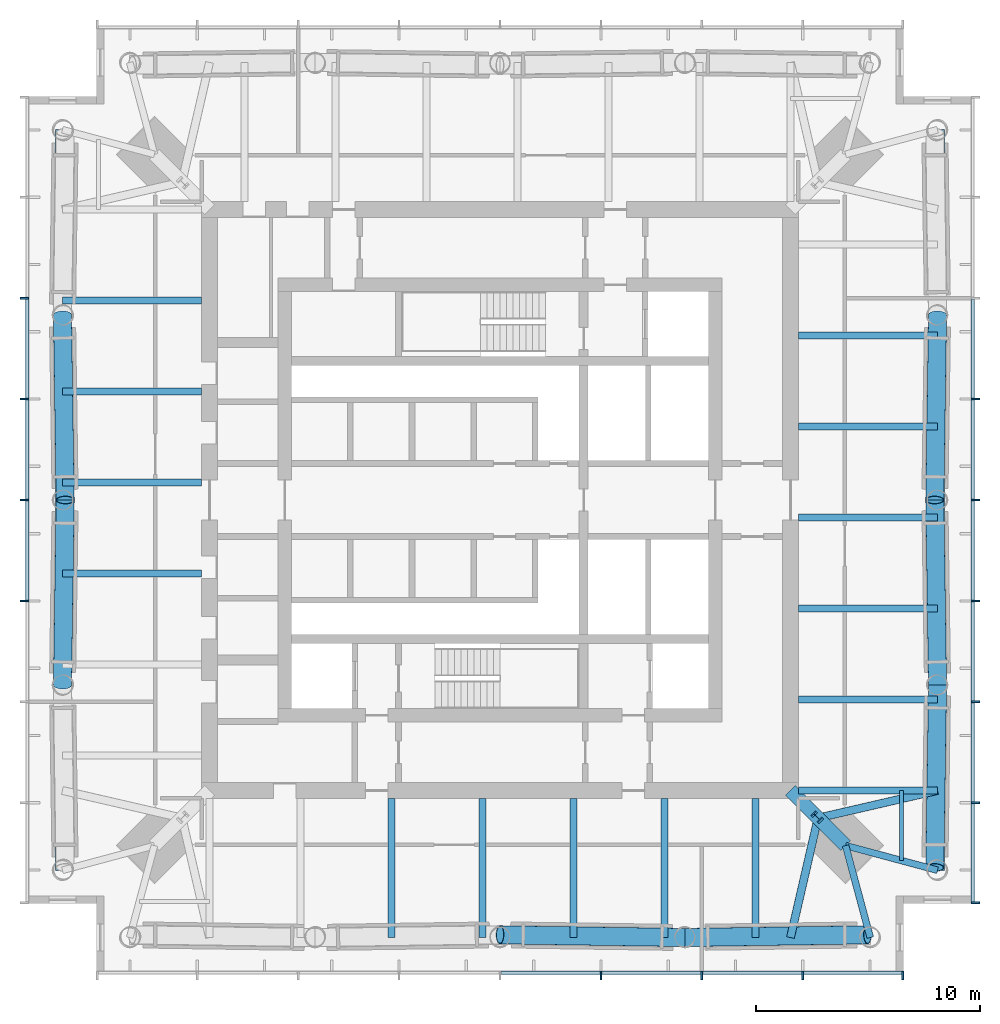
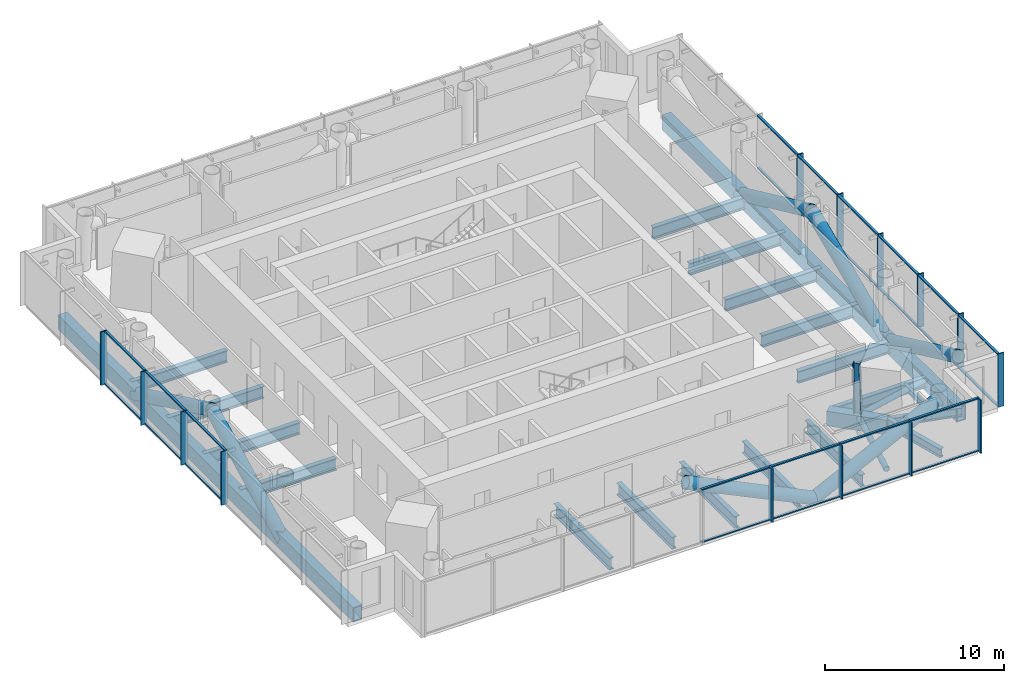
# One storey, part 2 of 9: 53 members, 18 beams, 3 elements without a shape of their own.
"""IFC4 building model written with IfcOpenShell, lengths in metres."""

from ifc_helpers import new_model, si_unit, direction, frame, origin, origin_2d, place, context, subcontext, project, spatial, rectangle, hollow_rectangle, hollow_circle, i_section, extrude, material, material_profile, profile_set, type_object, element, aggregate, save


model = new_model("IFC4")

# Units and contexts
model_context = context("Model", 3, precision=1e-05, world=origin(), true_north=direction((0.0, 1.0)))
body_context = subcontext(model_context, "Body", "Model", "MODEL_VIEW")
ifc_project = project(units=[si_unit("LENGTHUNIT", "METRE"), si_unit("AREAUNIT", "SQUARE_METRE"), si_unit("VOLUMEUNIT", "CUBIC_METRE"), si_unit("PLANEANGLEUNIT", "RADIAN"), si_unit("MASSUNIT", "GRAM", prefix="KILO")], contexts=[model_context])

# Site, building, storey
site_placement = place(None, origin())
site = spatial("IfcSite", under=ifc_project, at=site_placement, CompositionType="ELEMENT")
building_placement = place(site_placement, origin())
building = spatial("IfcBuilding", under=site, at=building_placement, Name="Ostroluk Exchange", CompositionType="ELEMENT")
storey_placement = place(building_placement, frame((0.0, 0.0, 161.60009765625)))
storey = spatial("IfcBuildingStorey", under=building, at=storey_placement, Name="L41", CompositionType="ELEMENT", Elevation=161.60009765625)

# Members
ifc_material_1 = material(Name="Steel S460", Category="steel")
ifc_material_profile_1 = material_profile(ifc_material_1, hollow_rectangle(XDim=0.60009765625, YDim=1.0, WallThickness=0.06005859375, at=origin_2d()), Name="BOX 600x1000x60")
ifc_profile_set_1 = profile_set([ifc_material_profile_1], Name="Steel S460")
member_type_1 = type_object("IfcMemberType", Name="Belt truss chord BOX 600x1000x60", PredefinedType="CHORD", material=ifc_profile_set_1)
for number, where, z_axis, x_axis, name in (
    (1, (64.507080078125, 29.492919921875, -0.780029296875), (0.0, 1.0, 0.0), (-1.0, 0.0, 0.0), "Belt truss 2 east chord 2"),
    (2, (25.492919921875, 62.507080078125, -0.780029296875), (0.0, -1.0, 0.0), (1.0, 0.0, 0.0), "Belt truss 2 west chord 2"),
):
    element("IfcMember", number, at=place(storey_placement, frame(where, z_axis=z_axis, x_axis=x_axis)), inside=storey, type_object=member_type_1, Name=name, PredefinedType="CHORD", context=body_context, shape_type="SweptSolid", body=[
        extrude(hollow_rectangle(XDim=0.60009765625, YDim=1.0, WallThickness=0.06005859375, at=origin_2d()), origin(), (0.0, 0.0, 1.0), 33.01416015625),
    ])
ifc_material_2 = material(Name="Steel S460", Category="steel")
ifc_material_profile_2 = material_profile(ifc_material_2, hollow_circle(Radius=0.406494140625, WallThickness=0.030029296875, at=origin_2d()), Name="CHS 813x30")
ifc_profile_set_2 = profile_set([ifc_material_profile_2], Name="Steel S460")
member_type_2 = type_object("IfcMemberType", Name="Belt truss diagonal CHS 813x30", PredefinedType="BRACE", material=ifc_profile_set_2)
member_1_placement = place(storey_placement, frame((64.507080078125, 37.746337890625, -0.780029296875), z_axis=(-0.013465462075, -0.902456893863, 0.430569664573), x_axis=(0.999888702071, -0.014919231587, 0.0)))
element("IfcMember", 3, at=member_1_placement, inside=storey, type_object=member_type_2, Name="Belt truss 2 east diagonal 2.1", PredefinedType="BRACE", context=body_context, shape_type="SweptSolid", body=[
    extrude(hollow_circle(Radius=0.406494140625, WallThickness=0.030029296875, at=origin_2d()), origin(), (0.0, 0.0, 1.0), 9.010986328125),
])
for number, where, z_axis, x_axis, name in (
    (4, (64.507080078125, 37.746337890625, -0.780029296875), (-0.013303253667, 0.904915687565, 0.425382912023), (-0.99989195638, -0.014699509046, 0.0), "Belt truss 2 east diagonal 2.2"),
    (5, (64.507080078125, 54.253662109375, -0.780029296875), (-0.013303253667, -0.904915687565, 0.425382912023), (0.99989195638, -0.014699509046, 0.0), "Belt truss 2 east diagonal 2.3"),
    (6, (25.492919921875, 54.253662109375, -0.780029296875), (0.013303253667, -0.904915687565, 0.425382912023), (0.99989195638, 0.014699509046, 0.0), "Belt truss 2 west diagonal 2.2"),
    (7, (25.492919921875, 37.746337890625, -0.780029296875), (0.013303253667, 0.904915687565, 0.425382912023), (-0.99989195638, 0.014699509046, 0.0), "Belt truss 2 west diagonal 2.3"),
    (8, (53.253662109375, 26.492919921875, -0.780029296875), (-0.904915687565, 0.013303253667, 0.425382912023), (-0.014699509046, -0.99989195638, 0.0), "Belt truss 2 south diagonal 2.3"),
):
    element("IfcMember", number, at=place(storey_placement, frame(where, z_axis=z_axis, x_axis=x_axis)), inside=storey, type_object=member_type_2, Name=name, PredefinedType="BRACE", context=body_context, shape_type="SweptSolid", body=[
        extrude(hollow_circle(Radius=0.406494140625, WallThickness=0.030029296875, at=origin_2d()), origin(), (0.0, 0.0, 1.0), 9.120849609375),
    ])
member_2_placement = place(storey_placement, frame((53.253662109375, 26.492919921875, -0.780029296875), z_axis=(0.902456893863, 0.013465462075, 0.430569664573), x_axis=(-0.014919231587, 0.999888702071, 0.0)))
element("IfcMember", 9, at=member_2_placement, inside=storey, type_object=member_type_2, Name="Belt truss 2 south diagonal 2.4", PredefinedType="BRACE", context=body_context, shape_type="SweptSolid", body=[
    extrude(hollow_circle(Radius=0.406494140625, WallThickness=0.030029296875, at=origin_2d()), origin(), (0.0, 0.0, 1.0), 9.010986328125),
])

# Beams
ifc_material_3 = material(Name="Steel S355", Category="steel")
ifc_material_profile_3 = material_profile(ifc_material_3, i_section(OverallWidth=0.300048828125, OverallDepth=0.60009765625, WebThickness=0.015380859375, FlangeThickness=0.030029296875, FilletRadius=0.027099609375, at=origin_2d()), Name="HEB 600")
ifc_profile_set_3 = profile_set([ifc_material_profile_3], Name="Steel S355")
beam_type_1 = type_object("IfcBeamType", Name="Corner edge beam HEB 600", PredefinedType="SPANDREL", material=ifc_profile_set_3)
for number, where, z_axis, x_axis, name in (
    (10, (60.4072265625, 30.5927734375, -0.580078125), (0.259105011038, -0.965849156574, 0.0), (0.965849156574, 0.259105011038, 0.0), "T1 south corner edge beam a"),
    (11, (60.4072265625, 30.5927734375, -0.580078125), (0.965849156574, -0.259105011038, 0.0), (0.259105011038, 0.965849156574, 0.0), "T1 south corner edge beam b"),
):
    element("IfcBeam", number, at=place(storey_placement, frame(where, z_axis=z_axis, x_axis=x_axis)), inside=storey, type_object=beam_type_1, Name=name, PredefinedType="SPANDREL", context=body_context, shape_type="SweptSolid", body=[
        extrude(i_section(OverallWidth=0.300048828125, OverallDepth=0.60009765625, WebThickness=0.015380859375, FlangeThickness=0.030029296875, FilletRadius=0.027099609375, at=origin_2d()), origin(), (0.0, 0.0, 1.0), 4.244873046875),
    ])
ifc_material_4 = material(Name="Steel S355", Category="steel")
ifc_material_profile_4 = material_profile(ifc_material_4, i_section(OverallWidth=0.302978515625, OverallDepth=0.81396484375, WebThickness=0.02099609375, FlangeThickness=0.0400390625, FilletRadius=0.030029296875, at=origin_2d()), Name="HEM 800")
ifc_profile_set_4 = profile_set([ifc_material_profile_4], Name="Steel S355")
beam_type_2 = type_object("IfcBeamType", Name="Floor beam HEM 800", PredefinedType="BEAM", material=ifc_profile_set_4)
for number, where, z_axis, x_axis, name in (
    (12, (58.300048828125, 37.107177734375, -0.68701171875), (1.0, 0.0, 0.0), (0.0, 1.0, 0.0), "T1 east floor beam 1"),
    (13, (58.300048828125, 41.164306640625, -0.68701171875), (1.0, 0.0, 0.0), (0.0, 1.0, 0.0), "T1 east floor beam 2"),
    (14, (58.300048828125, 45.221435546875, -0.68701171875), (1.0, 0.0, 0.0), (0.0, 1.0, 0.0), "T1 east floor beam 3"),
    (15, (58.300048828125, 49.278564453125, -0.68701171875), (1.0, 0.0, 0.0), (0.0, 1.0, 0.0), "T1 east floor beam 4"),
    (16, (58.300048828125, 53.335693359375, -0.68701171875), (1.0, 0.0, 0.0), (0.0, 1.0, 0.0), "T1 east floor beam 5"),
    (17, (31.699951171875, 54.892822265625, -0.68701171875), (-1.0, 0.0, 0.0), (0.0, -1.0, 0.0), "T1 west floor beam 1"),
    (18, (31.699951171875, 50.835693359375, -0.68701171875), (-1.0, 0.0, 0.0), (0.0, -1.0, 0.0), "T1 west floor beam 2"),
    (19, (31.699951171875, 46.778564453125, -0.68701171875), (-1.0, 0.0, 0.0), (0.0, -1.0, 0.0), "T1 west floor beam 3"),
    (20, (31.699951171875, 42.721435546875, -0.68701171875), (-1.0, 0.0, 0.0), (0.0, -1.0, 0.0), "T1 west floor beam 4"),
    (21, (40.164306640625, 32.699951171875, -0.68701171875), (0.0, -1.0, 0.0), (1.0, 0.0, 0.0), "T1 south floor beam 2"),
    (22, (44.221435546875, 32.699951171875, -0.68701171875), (0.0, -1.0, 0.0), (1.0, 0.0, 0.0), "T1 south floor beam 3"),
    (23, (48.278564453125, 32.699951171875, -0.68701171875), (0.0, -1.0, 0.0), (1.0, 0.0, 0.0), "T1 south floor beam 4"),
    (24, (52.335693359375, 32.699951171875, -0.68701171875), (0.0, -1.0, 0.0), (1.0, 0.0, 0.0), "T1 south floor beam 5"),
    (25, (56.392822265625, 32.699951171875, -0.68701171875), (0.0, -1.0, 0.0), (1.0, 0.0, 0.0), "T1 south floor beam 6"),
):
    element("IfcBeam", number, at=place(storey_placement, frame(where, z_axis=z_axis, x_axis=x_axis)), inside=storey, type_object=beam_type_2, Name=name, PredefinedType="BEAM", context=body_context, shape_type="SweptSolid", body=[
        extrude(i_section(OverallWidth=0.302978515625, OverallDepth=0.81396484375, WebThickness=0.02099609375, FlangeThickness=0.0400390625, FilletRadius=0.030029296875, at=origin_2d()), origin(), (0.0, 0.0, 1.0), 6.20703125),
    ])
ifc_material_5 = material(Name="Steel S355", Category="steel")
ifc_material_profile_5 = material_profile(ifc_material_5, i_section(OverallWidth=0.179931640625, OverallDepth=0.39990234375, WebThickness=0.008544921875, FlangeThickness=0.013427734375, FilletRadius=0.02099609375, at=origin_2d()), Name="IPE 400")
ifc_profile_set_5 = profile_set([ifc_material_profile_5], Name="Steel S355")
beam_type_3 = type_object("IfcBeamType", Name="Floor beam IPE 400", PredefinedType="BEAM", material=ifc_profile_set_5)
beam_1_placement = place(storey_placement, frame((62.9072265625, 33.050048828125, -0.47998046875), z_axis=(0.0, -1.0, 0.0), x_axis=(1.0, 0.0, 0.0)))
element("IfcBeam", 26, at=beam_1_placement, inside=storey, type_object=beam_type_3, Name="T1 south floor beam 7", PredefinedType="BEAM", context=body_context, shape_type="SweptSolid", body=[
    extrude(i_section(OverallWidth=0.179931640625, OverallDepth=0.39990234375, WebThickness=0.008544921875, FlangeThickness=0.013427734375, FilletRadius=0.02099609375, at=origin_2d()), origin(), (0.0, 0.0, 1.0), 3.1279296875),
])
ifc_material_6 = material(Name="Steel S355", Category="steel")
ifc_material_profile_6 = material_profile(ifc_material_6, i_section(OverallWidth=0.300048828125, OverallDepth=0.699951171875, WebThickness=0.01708984375, FlangeThickness=0.031982421875, FilletRadius=0.027099609375, at=origin_2d()), Name="HEB 700")
ifc_profile_set_6 = profile_set([ifc_material_profile_6], Name="Steel S355")
beam_type_4 = type_object("IfcBeamType", Name="Girder HEB 700", PredefinedType="BEAM", material=ifc_profile_set_6)
beam_2_placement = place(storey_placement, frame((58.300048828125, 33.050048828125, -0.630126953125), z_axis=(1.0, 0.0, 0.0), x_axis=(0.0, 1.0, 0.0)))
element("IfcBeam", 27, at=beam_2_placement, inside=storey, type_object=beam_type_4, Name="T1 south girder", PredefinedType="BEAM", context=body_context, shape_type="SweptSolid", body=[
    extrude(i_section(OverallWidth=0.300048828125, OverallDepth=0.699951171875, WebThickness=0.01708984375, FlangeThickness=0.031982421875, FilletRadius=0.027099609375, at=origin_2d()), origin(), (0.0, 0.0, 1.0), 6.20703125),
])

# Members
ifc_material_7 = material(Name="Steel S460", Category="steel")
ifc_material_profile_7 = material_profile(ifc_material_7, hollow_rectangle(XDim=0.60009765625, YDim=1.0, WallThickness=0.06005859375, at=origin_2d()), Name="BOX 600x1000x60")
ifc_profile_set_7 = profile_set([ifc_material_profile_7], Name="Steel S460")
member_type_3 = type_object("IfcMemberType", Name="Outrigger chord BOX 600x1000x60", PredefinedType="CHORD", material=ifc_profile_set_7)
member_3_placement = place(storey_placement, frame((57.949951171875, 33.050048828125, -0.780029296875), z_axis=(0.707106781187, -0.707106781187, 0.0), x_axis=(0.707106781187, 0.707106781187, 0.0)))
element("IfcMember", 28, at=member_3_placement, inside=storey, type_object=member_type_3, Name="Outrigger 2 SE chord 2", PredefinedType="CHORD", context=body_context, shape_type="SweptSolid", body=[
    extrude(hollow_rectangle(XDim=0.60009765625, YDim=1.0, WallThickness=0.06005859375, at=origin_2d()), origin(), (0.0, 0.0, 1.0), 3.47509765625),
])
ifc_material_8 = material(Name="Steel S460", Category="steel")
ifc_material_profile_8 = material_profile(ifc_material_8, i_section(OverallWidth=0.306884765625, OverallDepth=0.431884765625, WebThickness=0.02099609375, FlangeThickness=0.0400390625, FilletRadius=0.027099609375, at=origin_2d()), Name="HEM 400")
ifc_profile_set_8 = profile_set([ifc_material_profile_8], Name="Steel S460")
member_type_4 = type_object("IfcMemberType", Name="Outrigger post HEM 400", PredefinedType="POST", material=ifc_profile_set_8)
member_4_placement = place(storey_placement, frame((59.178466796875, 31.821533203125, -0.780029296875), z_axis=(-0.015601537093, 0.015601537093, 0.999756562409), x_axis=(-0.707106781187, -0.707106781187, 0.0)))
element("IfcMember", 29, at=member_4_placement, inside=storey, type_object=member_type_4, Name="Outrigger 2 SE post 2", PredefinedType="POST", context=body_context, shape_type="SweptSolid", body=[
    extrude(i_section(OverallWidth=0.306884765625, OverallDepth=0.431884765625, WebThickness=0.02099609375, FlangeThickness=0.0400390625, FilletRadius=0.027099609375, at=origin_2d()), origin(), (0.0, 0.0, 1.0), 3.880859375),
])
ifc_material_9 = material(Name="Steel S460", Category="steel")
ifc_material_profile_9 = material_profile(ifc_material_9, hollow_circle(Radius=0.177734375, WallThickness=0.012451171875, at=origin_2d()), Name="CHS 355.6x12.5")
ifc_profile_set_9 = profile_set([ifc_material_profile_9], Name="Steel S460")
member_type_5 = type_object("IfcMemberType", Name="Plan bracing CHS 355.6x12.5", PredefinedType="BRACE", material=ifc_profile_set_9)
for number, where, z_axis, x_axis, name in (
    (30, (59.178466796875, 31.821533203125, -0.4580078125), (-0.224657341955, -0.974437827009, 0.0), (0.974437827009, -0.224657341955, 0.0), "Plan bracing L41 SE a"),
    (31, (59.178466796875, 31.821533203125, -0.4580078125), (0.974437827009, 0.224657341955, 0.0), (-0.224657341955, 0.974437827009, 0.0), "Plan bracing L41 SE b"),
):
    element("IfcMember", number, at=place(storey_placement, frame(where, z_axis=z_axis, x_axis=x_axis)), inside=storey, type_object=member_type_5, Name=name, PredefinedType="BRACE", context=body_context, shape_type="SweptSolid", body=[
        extrude(hollow_circle(Radius=0.177734375, WallThickness=0.012451171875, at=origin_2d()), origin(), (0.0, 0.0, 1.0), 5.468505859375),
    ])

# Curtain wall, members
ifc_material_10 = material(Name="Laminated clear glass", Category="glass")
curtain_wall_type = type_object("IfcCurtainWallType", Name="Office tower plant and sky lobby facade", PredefinedType="USERDEFINED", material=ifc_material_10)
curtain_wall_1_placement = place(storey_placement, origin())
curtain_wall_1 = element("IfcCurtainWall", 32, at=curtain_wall_1_placement, inside=storey, type_object=curtain_wall_type, Name="Office tower south facade L41", ObjectType="LOUVRED CURTAIN WALL", PredefinedType="USERDEFINED")
ifc_material_11 = material(Name="Aluminium mullion", Category="aluminium")
ifc_material_profile_10 = material_profile(ifc_material_11, rectangle(XDim=0.14990234375, YDim=0.080078125, at=origin_2d()), Name="Sill transom 80 x 150")
ifc_profile_set_10 = profile_set([ifc_material_profile_10], Name="Aluminium mullion")
member_type_6 = type_object("IfcMemberType", Name="Sill transom 80 x 150", PredefinedType="USERDEFINED", material=ifc_profile_set_10)
member_5_placement = place(storey_placement, frame((45.0400390625, 24.925048828125, 0.039794921875), z_axis=(1.0, 0.0, 0.0), x_axis=(0.0, 1.0, 0.0)))
member_5 = element("IfcMember", 33, at=member_5_placement, type_object=member_type_6, Name="CW-P1 transom 5.1", ObjectType="TRANSOM", PredefinedType="USERDEFINED", context=body_context, shape_type="SweptSolid", body=[
    extrude(rectangle(XDim=0.14990234375, YDim=0.080078125, at=origin_2d()), origin(), (0.0, 0.0, 1.0), 4.419921875),
])
member_6_placement = place(storey_placement, frame((45.0400390625, 24.925048828125, 3.60986328125), z_axis=(1.0, 0.0, 0.0), x_axis=(0.0, 1.0, 0.0)))
member_6 = element("IfcMember", 34, at=member_6_placement, type_object=member_type_6, Name="CW-P1 transom 5.2", ObjectType="TRANSOM", PredefinedType="USERDEFINED", context=body_context, shape_type="SweptSolid", body=[
    extrude(rectangle(XDim=0.14990234375, YDim=0.080078125, at=origin_2d()), origin(), (0.0, 0.0, 1.0), 4.419921875),
])
member_7_placement = place(storey_placement, frame((49.5400390625, 24.925048828125, 0.039794921875), z_axis=(1.0, 0.0, 0.0), x_axis=(0.0, 1.0, 0.0)))
member_7 = element("IfcMember", 35, at=member_7_placement, type_object=member_type_6, Name="CW-P1 transom 6.1", ObjectType="TRANSOM", PredefinedType="USERDEFINED", context=body_context, shape_type="SweptSolid", body=[
    extrude(rectangle(XDim=0.14990234375, YDim=0.080078125, at=origin_2d()), origin(), (0.0, 0.0, 1.0), 4.419921875),
])
member_8_placement = place(storey_placement, frame((49.5400390625, 24.925048828125, 3.60986328125), z_axis=(1.0, 0.0, 0.0), x_axis=(0.0, 1.0, 0.0)))
member_8 = element("IfcMember", 36, at=member_8_placement, type_object=member_type_6, Name="CW-P1 transom 6.2", ObjectType="TRANSOM", PredefinedType="USERDEFINED", context=body_context, shape_type="SweptSolid", body=[
    extrude(rectangle(XDim=0.14990234375, YDim=0.080078125, at=origin_2d()), origin(), (0.0, 0.0, 1.0), 4.419921875),
])
member_9_placement = place(storey_placement, frame((54.0400390625, 24.925048828125, 0.039794921875), z_axis=(1.0, 0.0, 0.0), x_axis=(0.0, 1.0, 0.0)))
member_9 = element("IfcMember", 37, at=member_9_placement, type_object=member_type_6, Name="CW-P1 transom 7.1", ObjectType="TRANSOM", PredefinedType="USERDEFINED", context=body_context, shape_type="SweptSolid", body=[
    extrude(rectangle(XDim=0.14990234375, YDim=0.080078125, at=origin_2d()), origin(), (0.0, 0.0, 1.0), 4.419921875),
])
member_10_placement = place(storey_placement, frame((54.0400390625, 24.925048828125, 3.60986328125), z_axis=(1.0, 0.0, 0.0), x_axis=(0.0, 1.0, 0.0)))
member_10 = element("IfcMember", 38, at=member_10_placement, type_object=member_type_6, Name="CW-P1 transom 7.2", ObjectType="TRANSOM", PredefinedType="USERDEFINED", context=body_context, shape_type="SweptSolid", body=[
    extrude(rectangle(XDim=0.14990234375, YDim=0.080078125, at=origin_2d()), origin(), (0.0, 0.0, 1.0), 4.419921875),
])
member_11_placement = place(storey_placement, frame((58.5400390625, 24.925048828125, 0.039794921875), z_axis=(1.0, 0.0, 0.0), x_axis=(0.0, 1.0, 0.0)))
member_11 = element("IfcMember", 39, at=member_11_placement, type_object=member_type_6, Name="CW-P1 transom 8.1", ObjectType="TRANSOM", PredefinedType="USERDEFINED", context=body_context, shape_type="SweptSolid", body=[
    extrude(rectangle(XDim=0.14990234375, YDim=0.080078125, at=origin_2d()), origin(), (0.0, 0.0, 1.0), 4.3798828125),
])
member_12_placement = place(storey_placement, frame((58.5400390625, 24.925048828125, 3.60986328125), z_axis=(1.0, 0.0, 0.0), x_axis=(0.0, 1.0, 0.0)))
member_12 = element("IfcMember", 40, at=member_12_placement, type_object=member_type_6, Name="CW-P1 transom 8.2", ObjectType="TRANSOM", PredefinedType="USERDEFINED", context=body_context, shape_type="SweptSolid", body=[
    extrude(rectangle(XDim=0.14990234375, YDim=0.080078125, at=origin_2d()), origin(), (0.0, 0.0, 1.0), 4.3798828125),
])

curtain_wall_2_placement = place(storey_placement, origin())
curtain_wall_2 = element("IfcCurtainWall", 41, at=curtain_wall_2_placement, inside=storey, type_object=curtain_wall_type, Name="Office tower east facade L41", ObjectType="LOUVRED CURTAIN WALL", PredefinedType="USERDEFINED")
member_13_placement = place(storey_placement, frame((66.074951171875, 28.080078125, 0.039794921875), z_axis=(0.0, 1.0, 0.0), x_axis=(-1.0, 0.0, 0.0)))
member_13 = element("IfcMember", 42, at=member_13_placement, type_object=member_type_6, Name="CW-P1 transom 1.1", ObjectType="TRANSOM", PredefinedType="USERDEFINED", context=body_context, shape_type="SweptSolid", body=[
    extrude(rectangle(XDim=0.14990234375, YDim=0.080078125, at=origin_2d()), origin(), (0.0, 0.0, 1.0), 4.3798828125),
])
member_14_placement = place(storey_placement, frame((66.074951171875, 28.080078125, 3.60986328125), z_axis=(0.0, 1.0, 0.0), x_axis=(-1.0, 0.0, 0.0)))
member_14 = element("IfcMember", 43, at=member_14_placement, type_object=member_type_6, Name="CW-P1 transom 1.2", ObjectType="TRANSOM", PredefinedType="USERDEFINED", context=body_context, shape_type="SweptSolid", body=[
    extrude(rectangle(XDim=0.14990234375, YDim=0.080078125, at=origin_2d()), origin(), (0.0, 0.0, 1.0), 4.3798828125),
])
member_15_placement = place(storey_placement, frame((66.074951171875, 32.5400390625, 0.039794921875), z_axis=(0.0, 1.0, 0.0), x_axis=(-1.0, 0.0, 0.0)))
member_15 = element("IfcMember", 44, at=member_15_placement, type_object=member_type_6, Name="CW-P1 transom 2.1", ObjectType="TRANSOM", PredefinedType="USERDEFINED", context=body_context, shape_type="SweptSolid", body=[
    extrude(rectangle(XDim=0.14990234375, YDim=0.080078125, at=origin_2d()), origin(), (0.0, 0.0, 1.0), 4.419921875),
])
member_16_placement = place(storey_placement, frame((66.074951171875, 32.5400390625, 3.60986328125), z_axis=(0.0, 1.0, 0.0), x_axis=(-1.0, 0.0, 0.0)))
member_16 = element("IfcMember", 45, at=member_16_placement, type_object=member_type_6, Name="CW-P1 transom 2.2", ObjectType="TRANSOM", PredefinedType="USERDEFINED", context=body_context, shape_type="SweptSolid", body=[
    extrude(rectangle(XDim=0.14990234375, YDim=0.080078125, at=origin_2d()), origin(), (0.0, 0.0, 1.0), 4.419921875),
])
member_17_placement = place(storey_placement, frame((66.074951171875, 37.0400390625, 0.039794921875), z_axis=(0.0, 1.0, 0.0), x_axis=(-1.0, 0.0, 0.0)))
member_17 = element("IfcMember", 46, at=member_17_placement, type_object=member_type_6, Name="CW-P1 transom 3.1", ObjectType="TRANSOM", PredefinedType="USERDEFINED", context=body_context, shape_type="SweptSolid", body=[
    extrude(rectangle(XDim=0.14990234375, YDim=0.080078125, at=origin_2d()), origin(), (0.0, 0.0, 1.0), 4.419921875),
])
member_18_placement = place(storey_placement, frame((66.074951171875, 37.0400390625, 3.60986328125), z_axis=(0.0, 1.0, 0.0), x_axis=(-1.0, 0.0, 0.0)))
member_18 = element("IfcMember", 47, at=member_18_placement, type_object=member_type_6, Name="CW-P1 transom 3.2", ObjectType="TRANSOM", PredefinedType="USERDEFINED", context=body_context, shape_type="SweptSolid", body=[
    extrude(rectangle(XDim=0.14990234375, YDim=0.080078125, at=origin_2d()), origin(), (0.0, 0.0, 1.0), 4.419921875),
])
member_19_placement = place(storey_placement, frame((66.074951171875, 41.5400390625, 0.039794921875), z_axis=(0.0, 1.0, 0.0), x_axis=(-1.0, 0.0, 0.0)))
member_19 = element("IfcMember", 48, at=member_19_placement, type_object=member_type_6, Name="CW-P1 transom 4.1", ObjectType="TRANSOM", PredefinedType="USERDEFINED", context=body_context, shape_type="SweptSolid", body=[
    extrude(rectangle(XDim=0.14990234375, YDim=0.080078125, at=origin_2d()), origin(), (0.0, 0.0, 1.0), 4.419921875),
])
member_20_placement = place(storey_placement, frame((66.074951171875, 41.5400390625, 3.60986328125), z_axis=(0.0, 1.0, 0.0), x_axis=(-1.0, 0.0, 0.0)))
member_20 = element("IfcMember", 49, at=member_20_placement, type_object=member_type_6, Name="CW-P1 transom 4.2", ObjectType="TRANSOM", PredefinedType="USERDEFINED", context=body_context, shape_type="SweptSolid", body=[
    extrude(rectangle(XDim=0.14990234375, YDim=0.080078125, at=origin_2d()), origin(), (0.0, 0.0, 1.0), 4.419921875),
])
member_21_placement = place(storey_placement, frame((66.074951171875, 46.0400390625, 0.039794921875), z_axis=(0.0, 1.0, 0.0), x_axis=(-1.0, 0.0, 0.0)))
member_21 = element("IfcMember", 50, at=member_21_placement, type_object=member_type_6, Name="CW-P1 transom 5.1", ObjectType="TRANSOM", PredefinedType="USERDEFINED", context=body_context, shape_type="SweptSolid", body=[
    extrude(rectangle(XDim=0.14990234375, YDim=0.080078125, at=origin_2d()), origin(), (0.0, 0.0, 1.0), 4.419921875),
])
member_22_placement = place(storey_placement, frame((66.074951171875, 46.0400390625, 3.60986328125), z_axis=(0.0, 1.0, 0.0), x_axis=(-1.0, 0.0, 0.0)))
member_22 = element("IfcMember", 51, at=member_22_placement, type_object=member_type_6, Name="CW-P1 transom 5.2", ObjectType="TRANSOM", PredefinedType="USERDEFINED", context=body_context, shape_type="SweptSolid", body=[
    extrude(rectangle(XDim=0.14990234375, YDim=0.080078125, at=origin_2d()), origin(), (0.0, 0.0, 1.0), 4.419921875),
])
member_23_placement = place(storey_placement, frame((66.074951171875, 50.5400390625, 0.039794921875), z_axis=(0.0, 1.0, 0.0), x_axis=(-1.0, 0.0, 0.0)))
member_23 = element("IfcMember", 52, at=member_23_placement, type_object=member_type_6, Name="CW-P1 transom 6.1", ObjectType="TRANSOM", PredefinedType="USERDEFINED", context=body_context, shape_type="SweptSolid", body=[
    extrude(rectangle(XDim=0.14990234375, YDim=0.080078125, at=origin_2d()), origin(), (0.0, 0.0, 1.0), 4.419921875),
])
member_24_placement = place(storey_placement, frame((66.074951171875, 50.5400390625, 3.60986328125), z_axis=(0.0, 1.0, 0.0), x_axis=(-1.0, 0.0, 0.0)))
member_24 = element("IfcMember", 53, at=member_24_placement, type_object=member_type_6, Name="CW-P1 transom 6.2", ObjectType="TRANSOM", PredefinedType="USERDEFINED", context=body_context, shape_type="SweptSolid", body=[
    extrude(rectangle(XDim=0.14990234375, YDim=0.080078125, at=origin_2d()), origin(), (0.0, 0.0, 1.0), 4.419921875),
])

curtain_wall_3_placement = place(storey_placement, origin())
curtain_wall_3 = element("IfcCurtainWall", 54, at=curtain_wall_3_placement, inside=storey, type_object=curtain_wall_type, Name="Office tower west facade L41", ObjectType="LOUVRED CURTAIN WALL", PredefinedType="USERDEFINED")
member_25_placement = place(storey_placement, frame((23.925048828125, 54.9599609375, 0.039794921875), z_axis=(0.0, -1.0, 0.0), x_axis=(1.0, 0.0, 0.0)))
member_25 = element("IfcMember", 55, at=member_25_placement, type_object=member_type_6, Name="CW-P1 transom 3.1", ObjectType="TRANSOM", PredefinedType="USERDEFINED", context=body_context, shape_type="SweptSolid", body=[
    extrude(rectangle(XDim=0.14990234375, YDim=0.080078125, at=origin_2d()), origin(), (0.0, 0.0, 1.0), 4.419921875),
])
member_26_placement = place(storey_placement, frame((23.925048828125, 54.9599609375, 3.60986328125), z_axis=(0.0, -1.0, 0.0), x_axis=(1.0, 0.0, 0.0)))
member_26 = element("IfcMember", 56, at=member_26_placement, type_object=member_type_6, Name="CW-P1 transom 3.2", ObjectType="TRANSOM", PredefinedType="USERDEFINED", context=body_context, shape_type="SweptSolid", body=[
    extrude(rectangle(XDim=0.14990234375, YDim=0.080078125, at=origin_2d()), origin(), (0.0, 0.0, 1.0), 4.419921875),
])
member_27_placement = place(storey_placement, frame((23.925048828125, 50.4599609375, 0.039794921875), z_axis=(0.0, -1.0, 0.0), x_axis=(1.0, 0.0, 0.0)))
member_27 = element("IfcMember", 57, at=member_27_placement, type_object=member_type_6, Name="CW-P1 transom 4.1", ObjectType="TRANSOM", PredefinedType="USERDEFINED", context=body_context, shape_type="SweptSolid", body=[
    extrude(rectangle(XDim=0.14990234375, YDim=0.080078125, at=origin_2d()), origin(), (0.0, 0.0, 1.0), 4.419921875),
])
member_28_placement = place(storey_placement, frame((23.925048828125, 50.4599609375, 3.60986328125), z_axis=(0.0, -1.0, 0.0), x_axis=(1.0, 0.0, 0.0)))
member_28 = element("IfcMember", 58, at=member_28_placement, type_object=member_type_6, Name="CW-P1 transom 4.2", ObjectType="TRANSOM", PredefinedType="USERDEFINED", context=body_context, shape_type="SweptSolid", body=[
    extrude(rectangle(XDim=0.14990234375, YDim=0.080078125, at=origin_2d()), origin(), (0.0, 0.0, 1.0), 4.419921875),
])
member_29_placement = place(storey_placement, frame((23.925048828125, 45.9599609375, 0.039794921875), z_axis=(0.0, -1.0, 0.0), x_axis=(1.0, 0.0, 0.0)))
member_29 = element("IfcMember", 59, at=member_29_placement, type_object=member_type_6, Name="CW-P1 transom 5.1", ObjectType="TRANSOM", PredefinedType="USERDEFINED", context=body_context, shape_type="SweptSolid", body=[
    extrude(rectangle(XDim=0.14990234375, YDim=0.080078125, at=origin_2d()), origin(), (0.0, 0.0, 1.0), 4.419921875),
])
member_30_placement = place(storey_placement, frame((23.925048828125, 45.9599609375, 3.60986328125), z_axis=(0.0, -1.0, 0.0), x_axis=(1.0, 0.0, 0.0)))
member_30 = element("IfcMember", 60, at=member_30_placement, type_object=member_type_6, Name="CW-P1 transom 5.2", ObjectType="TRANSOM", PredefinedType="USERDEFINED", context=body_context, shape_type="SweptSolid", body=[
    extrude(rectangle(XDim=0.14990234375, YDim=0.080078125, at=origin_2d()), origin(), (0.0, 0.0, 1.0), 4.419921875),
])

# Member
ifc_material_12 = material(Name="Aluminium mullion with limestone facing", Category="masonry")
ifc_material_profile_11 = material_profile(ifc_material_12, rectangle(XDim=0.39990234375, YDim=0.080078125, at=origin_2d()), Name="Tracery mullion 80 x 400")
ifc_profile_set_11 = profile_set([ifc_material_profile_11], Name="Aluminium mullion with limestone facing")
member_type_7 = type_object("IfcMemberType", Name="Tracery mullion 80 x 400", PredefinedType="MULLION", material=ifc_profile_set_11)
member_31_placement = place(storey_placement, frame((49.5, 24.800048828125, 0.0), z_axis=(0.0, 0.0, 1.0), x_axis=(0.0, 1.0, 0.0)))
member_31 = element("IfcMember", 61, at=member_31_placement, type_object=member_type_7, Name="CW-P1 mullion 6", PredefinedType="MULLION", context=body_context, shape_type="SweptSolid", body=[
    extrude(rectangle(XDim=0.39990234375, YDim=0.080078125, at=origin_2d()), origin(), (0.0, 0.0, 1.0), 3.64990234375),
])

member_32_placement = place(storey_placement, frame((54.0, 24.800048828125, 0.0), z_axis=(0.0, 0.0, 1.0), x_axis=(0.0, 1.0, 0.0)))
member_32 = element("IfcMember", 62, at=member_32_placement, type_object=member_type_7, Name="CW-P1 mullion 7", PredefinedType="MULLION", context=body_context, shape_type="SweptSolid", body=[
    extrude(rectangle(XDim=0.39990234375, YDim=0.080078125, at=origin_2d()), origin(), (0.0, 0.0, 1.0), 3.64990234375),
])

member_33_placement = place(storey_placement, frame((58.5, 24.800048828125, 0.0), z_axis=(0.0, 0.0, 1.0), x_axis=(0.0, 1.0, 0.0)))
member_33 = element("IfcMember", 63, at=member_33_placement, type_object=member_type_7, Name="CW-P1 mullion 8", PredefinedType="MULLION", context=body_context, shape_type="SweptSolid", body=[
    extrude(rectangle(XDim=0.39990234375, YDim=0.080078125, at=origin_2d()), origin(), (0.0, 0.0, 1.0), 3.64990234375),
])

member_34_placement = place(storey_placement, frame((62.9599609375, 24.800048828125, 0.0), z_axis=(0.0, 0.0, 1.0), x_axis=(0.0, 1.0, 0.0)))
member_34 = element("IfcMember", 64, at=member_34_placement, type_object=member_type_7, Name="CW-P1 mullion 9", PredefinedType="MULLION", context=body_context, shape_type="SweptSolid", body=[
    extrude(rectangle(XDim=0.39990234375, YDim=0.080078125, at=origin_2d()), origin(), (0.0, 0.0, 1.0), 3.64990234375),
])

aggregate(curtain_wall_1, [member_31, member_32, member_33, member_34, member_5, member_6, member_7, member_8, member_9, member_10, member_11, member_12])

member_35_placement = place(storey_placement, frame((66.199951171875, 28.0400390625, 0.0), z_axis=(0.0, 0.0, 1.0), x_axis=(-1.0, 0.0, 0.0)))
member_35 = element("IfcMember", 65, at=member_35_placement, type_object=member_type_7, Name="CW-P1 mullion 1", PredefinedType="MULLION", context=body_context, shape_type="SweptSolid", body=[
    extrude(rectangle(XDim=0.39990234375, YDim=0.080078125, at=origin_2d()), origin(), (0.0, 0.0, 1.0), 3.64990234375),
])

member_36_placement = place(storey_placement, frame((66.199951171875, 32.5, 0.0), z_axis=(0.0, 0.0, 1.0), x_axis=(-1.0, 0.0, 0.0)))
member_36 = element("IfcMember", 66, at=member_36_placement, type_object=member_type_7, Name="CW-P1 mullion 2", PredefinedType="MULLION", context=body_context, shape_type="SweptSolid", body=[
    extrude(rectangle(XDim=0.39990234375, YDim=0.080078125, at=origin_2d()), origin(), (0.0, 0.0, 1.0), 3.64990234375),
])

member_37_placement = place(storey_placement, frame((66.199951171875, 37.0, 0.0), z_axis=(0.0, 0.0, 1.0), x_axis=(-1.0, 0.0, 0.0)))
member_37 = element("IfcMember", 67, at=member_37_placement, type_object=member_type_7, Name="CW-P1 mullion 3", PredefinedType="MULLION", context=body_context, shape_type="SweptSolid", body=[
    extrude(rectangle(XDim=0.39990234375, YDim=0.080078125, at=origin_2d()), origin(), (0.0, 0.0, 1.0), 3.64990234375),
])

member_38_placement = place(storey_placement, frame((66.199951171875, 41.5, 0.0), z_axis=(0.0, 0.0, 1.0), x_axis=(-1.0, 0.0, 0.0)))
member_38 = element("IfcMember", 68, at=member_38_placement, type_object=member_type_7, Name="CW-P1 mullion 4", PredefinedType="MULLION", context=body_context, shape_type="SweptSolid", body=[
    extrude(rectangle(XDim=0.39990234375, YDim=0.080078125, at=origin_2d()), origin(), (0.0, 0.0, 1.0), 3.64990234375),
])

member_39_placement = place(storey_placement, frame((66.199951171875, 46.0, 0.0), z_axis=(0.0, 0.0, 1.0), x_axis=(-1.0, 0.0, 0.0)))
member_39 = element("IfcMember", 69, at=member_39_placement, type_object=member_type_7, Name="CW-P1 mullion 5", PredefinedType="MULLION", context=body_context, shape_type="SweptSolid", body=[
    extrude(rectangle(XDim=0.39990234375, YDim=0.080078125, at=origin_2d()), origin(), (0.0, 0.0, 1.0), 3.64990234375),
])

member_40_placement = place(storey_placement, frame((66.199951171875, 50.5, 0.0), z_axis=(0.0, 0.0, 1.0), x_axis=(-1.0, 0.0, 0.0)))
member_40 = element("IfcMember", 70, at=member_40_placement, type_object=member_type_7, Name="CW-P1 mullion 6", PredefinedType="MULLION", context=body_context, shape_type="SweptSolid", body=[
    extrude(rectangle(XDim=0.39990234375, YDim=0.080078125, at=origin_2d()), origin(), (0.0, 0.0, 1.0), 3.64990234375),
])

aggregate(curtain_wall_2, [member_35, member_36, member_37, member_38, member_39, member_40, member_13, member_14, member_15, member_16, member_17, member_18, member_19, member_20, member_21, member_22, member_23, member_24])

member_41_placement = place(storey_placement, frame((23.800048828125, 55.0, 0.0), z_axis=(0.0, 0.0, 1.0), x_axis=(1.0, 0.0, 0.0)))
member_41 = element("IfcMember", 71, at=member_41_placement, type_object=member_type_7, Name="CW-P1 mullion 3", PredefinedType="MULLION", context=body_context, shape_type="SweptSolid", body=[
    extrude(rectangle(XDim=0.39990234375, YDim=0.080078125, at=origin_2d()), origin(), (0.0, 0.0, 1.0), 3.64990234375),
])

member_42_placement = place(storey_placement, frame((23.800048828125, 50.5, 0.0), z_axis=(0.0, 0.0, 1.0), x_axis=(1.0, 0.0, 0.0)))
member_42 = element("IfcMember", 72, at=member_42_placement, type_object=member_type_7, Name="CW-P1 mullion 4", PredefinedType="MULLION", context=body_context, shape_type="SweptSolid", body=[
    extrude(rectangle(XDim=0.39990234375, YDim=0.080078125, at=origin_2d()), origin(), (0.0, 0.0, 1.0), 3.64990234375),
])

member_43_placement = place(storey_placement, frame((23.800048828125, 46.0, 0.0), z_axis=(0.0, 0.0, 1.0), x_axis=(1.0, 0.0, 0.0)))
member_43 = element("IfcMember", 73, at=member_43_placement, type_object=member_type_7, Name="CW-P1 mullion 5", PredefinedType="MULLION", context=body_context, shape_type="SweptSolid", body=[
    extrude(rectangle(XDim=0.39990234375, YDim=0.080078125, at=origin_2d()), origin(), (0.0, 0.0, 1.0), 3.64990234375),
])

member_44_placement = place(storey_placement, frame((23.800048828125, 41.5, 0.0), z_axis=(0.0, 0.0, 1.0), x_axis=(1.0, 0.0, 0.0)))
member_44 = element("IfcMember", 74, at=member_44_placement, type_object=member_type_7, Name="CW-P1 mullion 6", PredefinedType="MULLION", context=body_context, shape_type="SweptSolid", body=[
    extrude(rectangle(XDim=0.39990234375, YDim=0.080078125, at=origin_2d()), origin(), (0.0, 0.0, 1.0), 3.64990234375),
])

aggregate(curtain_wall_3, [member_41, member_42, member_43, member_44, member_25, member_26, member_27, member_28, member_29, member_30])

save(model, "model.ifc")
